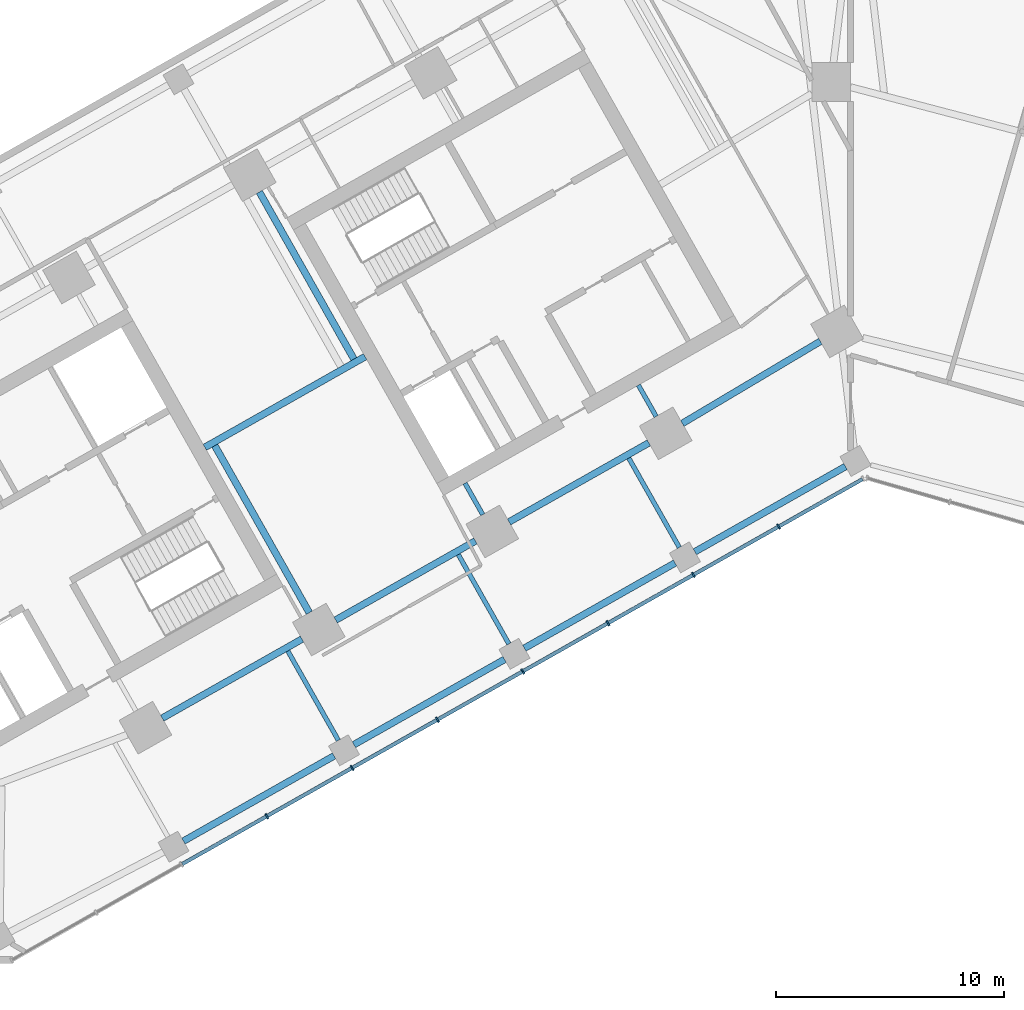
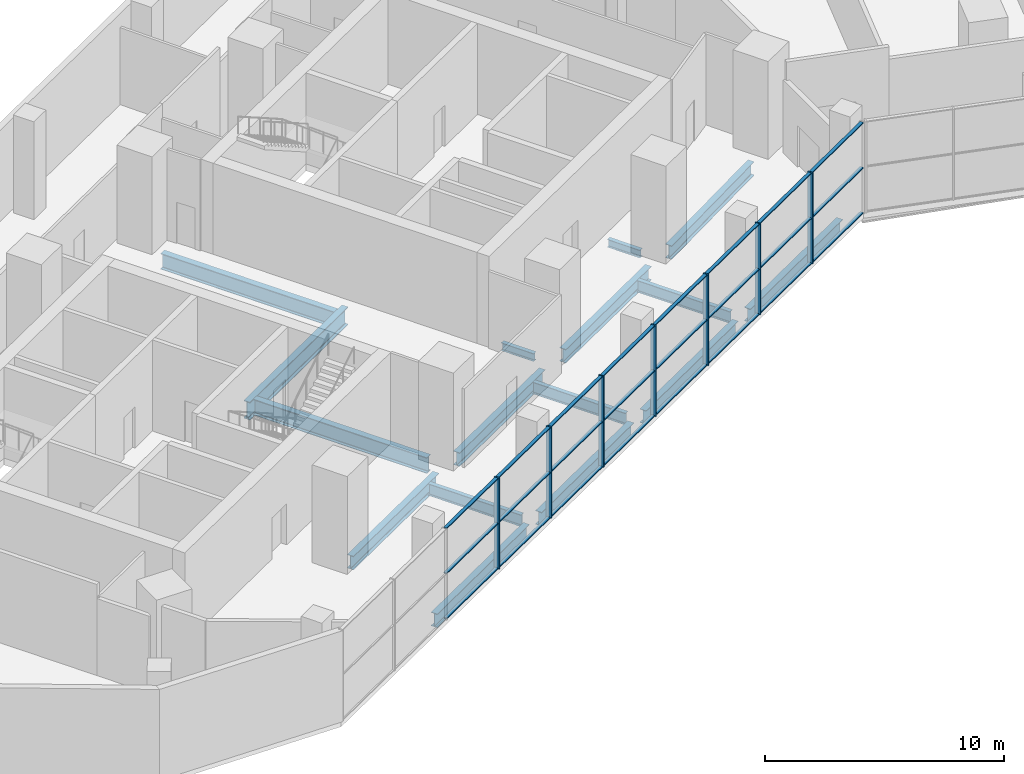
# One storey, part 3 of 18: 31 members, 16 beams, 1 element without a shape of its own.
"""IFC4 building model written with IfcOpenShell, lengths in metres."""

import ifcopenshell
import ifcopenshell.guid

model = None  # the IFC model being written
_history = None  # IfcOwnerHistory: only IFC2X3 demands one
_inside = {}  # id of a spatial element -> (the spatial element, [elements in it])
_under = {}  # id of a project, library or spatial element -> (it, [spatial elements below it])
_declared = {}  # id of a project -> (the project, [libraries it declares])
_typed = {}  # id of a type object -> (the type object, [elements of that type])
_made_of = {}  # id of a material, layer set ... -> (it, [elements and type objects made of it])


def new_model(schema):
    """Start an empty IFC model of exactly this schema.

    Asked for "IFC4X3", IfcOpenShell would pick the latest addendum, in which some entities
    have other attributes; the version numbers below select the first issue.
    IFC2X3 requires an IfcOwnerHistory on every rooted entity: one is made here for all.
    """
    global model, _history
    if schema == "IFC4X3":
        model = ifcopenshell.file(schema_version=(4, 3, 0, 0))
    else:
        model = ifcopenshell.file(schema=schema)
    _inside.clear()
    _under.clear()
    _declared.clear()
    _typed.clear()
    _made_of.clear()
    _history = None
    if model.schema == "IFC2X3":
        org = make("IfcOrganization", Name="unknown")
        user = make(
            "IfcPersonAndOrganization",
            ThePerson=make("IfcPerson", FamilyName="unknown"),
            TheOrganization=org,
        )
        app = make(
            "IfcApplication",
            ApplicationDeveloper=org,
            Version="unknown",
            ApplicationFullName="unknown",
            ApplicationIdentifier="unknown",
        )
        _history = make(
            "IfcOwnerHistory",
            OwningUser=user,
            OwningApplication=app,
            ChangeAction="ADDED",
            CreationDate=0,
        )
    return model


def make(cls, **values):
    """One entity of the class cls with the attributes given. An attribute that is None is left unset."""
    return model.create_entity(
        cls, **{name: value for name, value in values.items() if value is not None}
    )


def rooted(cls, **values):
    """An entity with a GlobalId (a new one), such as an element, a storey or a relation."""
    return make(cls, GlobalId=ifcopenshell.guid.new(), OwnerHistory=_history, **values)


def si_unit(unit_type, name, prefix=None):
    """IfcSIUnit, for example si_unit("LENGTHUNIT", "METRE", prefix="MILLI")."""
    return make("IfcSIUnit", UnitType=unit_type, Prefix=prefix, Name=name)


def assignment(units):
    """IfcUnitAssignment: the units of a project."""
    return None if units is None else make("IfcUnitAssignment", Units=units)


def point(xyz):
    """IfcCartesianPoint."""
    return None if xyz is None else make("IfcCartesianPoint", Coordinates=xyz)


def direction(xyz):
    """IfcDirection."""
    return None if xyz is None else make("IfcDirection", DirectionRatios=xyz)


def frame(location, z_axis=None, x_axis=None):
    """IfcAxis2Placement3D, a coordinate frame: its origin and axes. An axis left out is left unset."""
    return make(
        "IfcAxis2Placement3D",
        Location=point(location),
        Axis=direction(z_axis),
        RefDirection=direction(x_axis),
    )


def frame_2d(location, x_axis=None):
    """IfcAxis2Placement2D, a coordinate frame in the plane: its origin and x axis."""
    return make(
        "IfcAxis2Placement2D", Location=point(location), RefDirection=direction(x_axis)
    )


def origin():
    """The frame at (0, 0, 0) with its axes left unset."""
    return frame((0.0, 0.0, 0.0))


def origin_2d():
    """The frame at (0, 0) in the plane with its x axis left unset."""
    return frame_2d((0.0, 0.0))


def place(relative_to, where):
    """IfcLocalPlacement: puts the frame where relative to a parent placement (None: the world)."""
    return make(
        "IfcLocalPlacement", PlacementRelTo=relative_to, RelativePlacement=where
    )


def context(
    kind, dimensions, precision=None, world=None, true_north=None, identifier=None
):
    """IfcGeometricRepresentationContext, for example the 3D "Model" context."""
    return make(
        "IfcGeometricRepresentationContext",
        ContextIdentifier=identifier,
        ContextType=kind,
        CoordinateSpaceDimension=dimensions,
        Precision=precision,
        WorldCoordinateSystem=world,
        TrueNorth=true_north,
    )


def subcontext(parent, identifier, kind, view, scale=None):
    """IfcGeometricRepresentationSubContext, for example "Body" below "Model"."""
    return make(
        "IfcGeometricRepresentationSubContext",
        ContextIdentifier=identifier,
        ContextType=kind,
        ParentContext=parent,
        TargetScale=scale,
        TargetView=view,
    )


def project(units=None, contexts=None):
    """IfcProject with its units and contexts."""
    return rooted(
        "IfcProject",
        Name="project",
        RepresentationContexts=contexts,
        UnitsInContext=assignment(units),
    )


def spatial(cls, under=None, at=None, **own):
    """A site, building, storey or space (cls), placed at a placement, below another one or the project."""
    s = rooted(cls, ObjectPlacement=at, **own)
    if under is not None:
        _under.setdefault(under.id(), (under, []))[1].append(s)
    return s


def profile(cls, at=None, kind="AREA", **sizes):
    """A parametric profile (cls). Its sizes go by their IFC names, for example OverallWidth=200.0."""
    return make(cls, ProfileType=kind, Position=at, **sizes)


def rectangle(**sizes):
    """IfcRectangleProfileDef."""
    return profile("IfcRectangleProfileDef", **sizes)


def i_section(**sizes):
    """IfcIShapeProfileDef."""
    return profile("IfcIShapeProfileDef", **sizes)


def extrude(swept, where, along, depth):
    """IfcExtrudedAreaSolid: the profile swept, set in the frame where, extruded along a direction by depth."""
    return make(
        "IfcExtrudedAreaSolid",
        SweptArea=swept,
        Position=where,
        ExtrudedDirection=direction(along),
        Depth=depth,
    )


def shape(context_of_items, identifier, shape_type, items):
    """IfcShapeRepresentation: the items that make up one representation, for example the "Body"."""
    return make(
        "IfcShapeRepresentation",
        ContextOfItems=context_of_items,
        RepresentationIdentifier=identifier,
        RepresentationType=shape_type,
        Items=items,
    )


def material(Name=None, Category=None):
    """IfcMaterial."""
    return make("IfcMaterial", Name=Name, Category=Category)


def material_profile(
    of_material, cross_section, Name=None, Category=None, Priority=None
):
    """IfcMaterialProfile: a cross section and its material."""
    return make(
        "IfcMaterialProfile",
        Name=Name,
        Material=of_material,
        Profile=cross_section,
        Priority=Priority,
        Category=Category,
    )


def profile_set(profiles, Name=None, composite=None):
    """IfcMaterialProfileSet."""
    return make(
        "IfcMaterialProfileSet",
        Name=Name,
        MaterialProfiles=profiles,
        CompositeProfile=composite,
    )


def made_of(thing, what):
    """Note that an element or type object is made of a material, layer set ...; save() writes the relation."""
    if what is not None:
        _made_of.setdefault(what.id(), (what, []))[1].append(thing)
    return thing


def type_object(cls, material=None, **own):
    """A type object (cls), such as IfcWallType, which elements share."""
    return made_of(rooted(cls, **own), material)


def element(
    cls,
    number,
    at=None,
    inside=None,
    cuts=None,
    type_object=None,
    material=None,
    context=None,
    identifier="Body",
    shape_type=None,
    held_by="IfcProductDefinitionShape",
    body=None,
    shapes=None,
    **own,
):
    """One element of the class cls, such as IfcWall. Its Tag is "e" and its number.

    at: its placement. inside: the storey or other place that contains it. cuts: it is an
    opening in that element (IfcRelVoidsElement). A single representation is given by context,
    identifier, shape_type and body (its items); several are given by shapes. held_by: the class
    of the entity that holds the representations. save() writes the other relations.
    """
    e = rooted(cls, Tag="e%d" % number, ObjectPlacement=at, **own)
    if body is not None:
        shapes = [shape(context, identifier, shape_type, body)]
    if shapes is not None:
        e.Representation = make(held_by, Representations=shapes)
    if inside is not None:
        _inside.setdefault(inside.id(), (inside, []))[1].append(e)
    if cuts is not None:
        rooted(
            "IfcRelVoidsElement", RelatingBuildingElement=cuts, RelatedOpeningElement=e
        )
    if type_object is not None:
        _typed.setdefault(type_object.id(), (type_object, []))[1].append(e)
    return made_of(e, material)


def aggregate(whole, parts):
    """IfcRelAggregates: a whole, such as a stair, and the parts it consists of."""
    return rooted("IfcRelAggregates", RelatingObject=whole, RelatedObjects=parts)


def save(model, path):
    """Write the relations noted so far, then the file.

    IfcRelAggregates (storeys below a building ...), IfcRelContainedInSpatialStructure (elements
    in a storey), IfcRelDefinesByType, IfcRelAssociatesMaterial and IfcRelDeclares: one each for
    every whole, place, type object, material and project.
    """
    for whole, parts in _under.values():
        aggregate(whole, parts)
    for where, things in _inside.values():
        rooted(
            "IfcRelContainedInSpatialStructure",
            RelatedElements=things,
            RelatingStructure=where,
        )
    for kind, things in _typed.values():
        rooted("IfcRelDefinesByType", RelatedObjects=things, RelatingType=kind)
    for what, things in _made_of.values():
        rooted("IfcRelAssociatesMaterial", RelatedObjects=things, RelatingMaterial=what)
    for by, libraries in _declared.values():
        rooted("IfcRelDeclares", RelatingContext=by, RelatedDefinitions=libraries)
    model.write(path)


model = new_model("IFC4")

# Units and contexts
model_context = context("Model", 3, precision=1e-05, world=origin(), true_north=direction((0.0, 1.0)))
body_context = subcontext(model_context, "Body", "Model", "MODEL_VIEW")
ifc_project = project(units=[si_unit("LENGTHUNIT", "METRE"), si_unit("AREAUNIT", "SQUARE_METRE"), si_unit("VOLUMEUNIT", "CUBIC_METRE"), si_unit("PLANEANGLEUNIT", "RADIAN"), si_unit("MASSUNIT", "GRAM", prefix="KILO")], contexts=[model_context])

# Site, building, storey
site_placement = place(None, origin())
site = spatial("IfcSite", under=ifc_project, at=site_placement, CompositionType="ELEMENT")
building_placement = place(site_placement, origin())
building = spatial("IfcBuilding", under=site, at=building_placement, Name="Binnacle Exchange Tower", CompositionType="ELEMENT")
storey_placement = place(building_placement, frame((0.0, 0.0, 11.5)))
storey = spatial("IfcBuildingStorey", under=building, at=storey_placement, Name="L02", CompositionType="ELEMENT", Elevation=11.5)

# Curtain wall, members
ifc_material_1 = material(Name="Bronze anodised aluminium frame", Category="aluminium")
curtain_wall_type = type_object("IfcCurtainWallType", Name="External wall - curtain wall podium harbour front", PredefinedType="NOTDEFINED", material=ifc_material_1)
curtain_wall_placement = place(storey_placement, origin())
curtain_wall = element("IfcCurtainWall", 1, at=curtain_wall_placement, inside=storey, type_object=curtain_wall_type, Name="External wall curtain wall CW3-P06 L02", PredefinedType="NOTDEFINED")
ifc_material_profile_1 = material_profile(ifc_material_1, rectangle(XDim=0.25, YDim=0.070068359375, at=origin_2d()), Name="AL 70x250")
ifc_profile_set_1 = profile_set([ifc_material_profile_1], Name="Bronze anodised aluminium frame")
member_type_1 = type_object("IfcMemberType", Name="CW3 MULLION 70x250", PredefinedType="MULLION", material=ifc_profile_set_1)
member_1_placement = place(storey_placement, frame((-25.6416015625, 27.747802734375, 0.0), z_axis=(0.0, 0.0, 1.0), x_axis=(-0.492423763004, 0.870355581144, 0.0)))
member_1 = element("IfcMember", 2, at=member_1_placement, type_object=member_type_1, Name="CW3-P06 mullion 4", PredefinedType="MULLION", context=body_context, shape_type="SweptSolid", body=[
    extrude(rectangle(XDim=0.25, YDim=0.070068359375, at=origin_2d()), origin(), (0.0, 0.0, 1.0), 4.64990234375),
])
member_2_placement = place(storey_placement, frame((-21.89404296875, 29.8681640625, 0.0), z_axis=(0.0, 0.0, 1.0), x_axis=(-0.492423763004, 0.870355581144, 0.0)))
member_2 = element("IfcMember", 3, at=member_2_placement, type_object=member_type_1, Name="CW3-P06 mullion 5", PredefinedType="MULLION", context=body_context, shape_type="SweptSolid", body=[
    extrude(rectangle(XDim=0.25, YDim=0.070068359375, at=origin_2d()), origin(), (0.0, 0.0, 1.0), 4.64990234375),
])
member_3_placement = place(storey_placement, frame((-18.146484375, 31.988525390625, 0.0), z_axis=(0.0, 0.0, 1.0), x_axis=(-0.492423763004, 0.870355581144, 0.0)))
member_3 = element("IfcMember", 4, at=member_3_placement, type_object=member_type_1, Name="CW3-P06 mullion 6", PredefinedType="MULLION", context=body_context, shape_type="SweptSolid", body=[
    extrude(rectangle(XDim=0.25, YDim=0.070068359375, at=origin_2d()), origin(), (0.0, 0.0, 1.0), 4.64990234375),
])
member_4_placement = place(storey_placement, frame((-14.39892578125, 34.108642578125, 0.0), z_axis=(0.0, 0.0, 1.0), x_axis=(-0.492423763004, 0.870355581144, 0.0)))
member_4 = element("IfcMember", 5, at=member_4_placement, type_object=member_type_1, Name="CW3-P06 mullion 7", PredefinedType="MULLION", context=body_context, shape_type="SweptSolid", body=[
    extrude(rectangle(XDim=0.25, YDim=0.070068359375, at=origin_2d()), origin(), (0.0, 0.0, 1.0), 4.64990234375),
])
member_5_placement = place(storey_placement, frame((-10.651123046875, 36.22900390625, 0.0), z_axis=(0.0, 0.0, 1.0), x_axis=(-0.492423763004, 0.870355581144, 0.0)))
member_5 = element("IfcMember", 6, at=member_5_placement, type_object=member_type_1, Name="CW3-P06 mullion 8", PredefinedType="MULLION", context=body_context, shape_type="SweptSolid", body=[
    extrude(rectangle(XDim=0.25, YDim=0.070068359375, at=origin_2d()), origin(), (0.0, 0.0, 1.0), 4.64990234375),
])
member_6_placement = place(storey_placement, frame((-6.903564453125, 38.349365234375, 0.0), z_axis=(0.0, 0.0, 1.0), x_axis=(-0.492423763004, 0.870355581144, 0.0)))
member_6 = element("IfcMember", 7, at=member_6_placement, type_object=member_type_1, Name="CW3-P06 mullion 9", PredefinedType="MULLION", context=body_context, shape_type="SweptSolid", body=[
    extrude(rectangle(XDim=0.25, YDim=0.070068359375, at=origin_2d()), origin(), (0.0, 0.0, 1.0), 4.64990234375),
])
member_7_placement = place(storey_placement, frame((-3.156005859375, 40.4697265625, 0.0), z_axis=(0.0, 0.0, 1.0), x_axis=(-0.492423763004, 0.870355581144, 0.0)))
member_7 = element("IfcMember", 8, at=member_7_placement, type_object=member_type_1, Name="CW3-P06 mullion 10", PredefinedType="MULLION", context=body_context, shape_type="SweptSolid", body=[
    extrude(rectangle(XDim=0.25, YDim=0.070068359375, at=origin_2d()), origin(), (0.0, 0.0, 1.0), 4.64990234375),
])
ifc_material_profile_2 = material_profile(ifc_material_1, rectangle(XDim=0.159912109375, YDim=0.050048828125, at=origin_2d()), Name="AL 160x50")
ifc_profile_set_2 = profile_set([ifc_material_profile_2], Name="Bronze anodised aluminium frame")
member_type_2 = type_object("IfcMemberType", Name="CW3 TRANSOM 50x160", PredefinedType="USERDEFINED", material=ifc_profile_set_2)
member_8_placement = place(storey_placement, frame((-29.35888671875, 25.644775390625, 0.02490234375), z_axis=(0.870373844637, 0.49239148101, 0.0), x_axis=(-0.49239148101, 0.870373844637, 0.0)))
member_8 = element("IfcMember", 9, at=member_8_placement, type_object=member_type_2, Name="CW3-P06 transom 3.1", ObjectType="TRANSOM", PredefinedType="USERDEFINED", context=body_context, shape_type="SweptSolid", body=[
    extrude(rectangle(XDim=0.159912109375, YDim=0.050048828125, at=origin_2d()), origin(), (0.0, 0.0, 1.0), 4.23583984375),
])
member_9_placement = place(storey_placement, frame((-29.35888671875, 25.644775390625, 2.324951171875), z_axis=(0.870373844637, 0.49239148101, 0.0), x_axis=(-0.49239148101, 0.870373844637, 0.0)))
member_9 = element("IfcMember", 10, at=member_9_placement, type_object=member_type_2, Name="CW3-P06 transom 3.2", ObjectType="TRANSOM", PredefinedType="USERDEFINED", context=body_context, shape_type="SweptSolid", body=[
    extrude(rectangle(XDim=0.159912109375, YDim=0.050048828125, at=origin_2d()), origin(), (0.0, 0.0, 1.0), 4.23583984375),
])
member_10_placement = place(storey_placement, frame((-29.35888671875, 25.644775390625, 4.625), z_axis=(0.870373844637, 0.49239148101, 0.0), x_axis=(-0.49239148101, 0.870373844637, 0.0)))
member_10 = element("IfcMember", 11, at=member_10_placement, type_object=member_type_2, Name="CW3-P06 transom 3.3", ObjectType="TRANSOM", PredefinedType="USERDEFINED", context=body_context, shape_type="SweptSolid", body=[
    extrude(rectangle(XDim=0.159912109375, YDim=0.050048828125, at=origin_2d()), origin(), (0.0, 0.0, 1.0), 4.23583984375),
])
member_11_placement = place(storey_placement, frame((-25.611083984375, 27.76513671875, 0.02490234375), z_axis=(0.870359869571, 0.492416183162, 0.0), x_axis=(-0.492416183162, 0.870359869571, 0.0)))
member_11 = element("IfcMember", 12, at=member_11_placement, type_object=member_type_2, Name="CW3-P06 transom 4.1", ObjectType="TRANSOM", PredefinedType="USERDEFINED", context=body_context, shape_type="SweptSolid", body=[
    extrude(rectangle(XDim=0.159912109375, YDim=0.050048828125, at=origin_2d()), origin(), (0.0, 0.0, 1.0), 4.235595703125),
])
member_12_placement = place(storey_placement, frame((-25.611083984375, 27.76513671875, 2.324951171875), z_axis=(0.870359869571, 0.492416183162, 0.0), x_axis=(-0.492416183162, 0.870359869571, 0.0)))
member_12 = element("IfcMember", 13, at=member_12_placement, type_object=member_type_2, Name="CW3-P06 transom 4.2", ObjectType="TRANSOM", PredefinedType="USERDEFINED", context=body_context, shape_type="SweptSolid", body=[
    extrude(rectangle(XDim=0.159912109375, YDim=0.050048828125, at=origin_2d()), origin(), (0.0, 0.0, 1.0), 4.235595703125),
])
member_13_placement = place(storey_placement, frame((-25.611083984375, 27.76513671875, 4.625), z_axis=(0.870359869571, 0.492416183162, 0.0), x_axis=(-0.492416183162, 0.870359869571, 0.0)))
member_13 = element("IfcMember", 14, at=member_13_placement, type_object=member_type_2, Name="CW3-P06 transom 4.3", ObjectType="TRANSOM", PredefinedType="USERDEFINED", context=body_context, shape_type="SweptSolid", body=[
    extrude(rectangle(XDim=0.159912109375, YDim=0.050048828125, at=origin_2d()), origin(), (0.0, 0.0, 1.0), 4.235595703125),
])
member_14_placement = place(storey_placement, frame((-21.863525390625, 29.88525390625, 0.02490234375), z_axis=(0.870335165984, 0.492459844912, 0.0), x_axis=(-0.492459844912, 0.870335165984, 0.0)))
member_14 = element("IfcMember", 15, at=member_14_placement, type_object=member_type_2, Name="CW3-P06 transom 5.1", ObjectType="TRANSOM", PredefinedType="USERDEFINED", context=body_context, shape_type="SweptSolid", body=[
    extrude(rectangle(XDim=0.159912109375, YDim=0.050048828125, at=origin_2d()), origin(), (0.0, 0.0, 1.0), 4.23583984375),
])
member_15_placement = place(storey_placement, frame((-21.863525390625, 29.88525390625, 2.324951171875), z_axis=(0.870335165984, 0.492459844912, 0.0), x_axis=(-0.492459844912, 0.870335165984, 0.0)))
member_15 = element("IfcMember", 16, at=member_15_placement, type_object=member_type_2, Name="CW3-P06 transom 5.2", ObjectType="TRANSOM", PredefinedType="USERDEFINED", context=body_context, shape_type="SweptSolid", body=[
    extrude(rectangle(XDim=0.159912109375, YDim=0.050048828125, at=origin_2d()), origin(), (0.0, 0.0, 1.0), 4.23583984375),
])
member_16_placement = place(storey_placement, frame((-21.863525390625, 29.88525390625, 4.625), z_axis=(0.870335165984, 0.492459844912, 0.0), x_axis=(-0.492459844912, 0.870335165984, 0.0)))
member_16 = element("IfcMember", 17, at=member_16_placement, type_object=member_type_2, Name="CW3-P06 transom 5.3", ObjectType="TRANSOM", PredefinedType="USERDEFINED", context=body_context, shape_type="SweptSolid", body=[
    extrude(rectangle(XDim=0.159912109375, YDim=0.050048828125, at=origin_2d()), origin(), (0.0, 0.0, 1.0), 4.23583984375),
])
member_17_placement = place(storey_placement, frame((-18.115966796875, 32.005615234375, 0.02490234375), z_axis=(0.870349143132, 0.492435141972, 0.0), x_axis=(-0.492435141972, 0.870349143132, 0.0)))
member_17 = element("IfcMember", 18, at=member_17_placement, type_object=member_type_2, Name="CW3-P06 transom 6.1", ObjectType="TRANSOM", PredefinedType="USERDEFINED", context=body_context, shape_type="SweptSolid", body=[
    extrude(rectangle(XDim=0.159912109375, YDim=0.050048828125, at=origin_2d()), origin(), (0.0, 0.0, 1.0), 4.236083984375),
])
member_18_placement = place(storey_placement, frame((-18.115966796875, 32.005615234375, 2.324951171875), z_axis=(0.870349143132, 0.492435141972, 0.0), x_axis=(-0.492435141972, 0.870349143132, 0.0)))
member_18 = element("IfcMember", 19, at=member_18_placement, type_object=member_type_2, Name="CW3-P06 transom 6.2", ObjectType="TRANSOM", PredefinedType="USERDEFINED", context=body_context, shape_type="SweptSolid", body=[
    extrude(rectangle(XDim=0.159912109375, YDim=0.050048828125, at=origin_2d()), origin(), (0.0, 0.0, 1.0), 4.236083984375),
])
member_19_placement = place(storey_placement, frame((-18.115966796875, 32.005615234375, 4.625), z_axis=(0.870349143132, 0.492435141972, 0.0), x_axis=(-0.492435141972, 0.870349143132, 0.0)))
member_19 = element("IfcMember", 20, at=member_19_placement, type_object=member_type_2, Name="CW3-P06 transom 6.3", ObjectType="TRANSOM", PredefinedType="USERDEFINED", context=body_context, shape_type="SweptSolid", body=[
    extrude(rectangle(XDim=0.159912109375, YDim=0.050048828125, at=origin_2d()), origin(), (0.0, 0.0, 1.0), 4.236083984375),
])
member_20_placement = place(storey_placement, frame((-14.368408203125, 34.1259765625, 0.02490234375), z_axis=(0.870373844637, 0.49239148101, 0.0), x_axis=(-0.49239148101, 0.870373844637, 0.0)))
member_20 = element("IfcMember", 21, at=member_20_placement, type_object=member_type_2, Name="CW3-P06 transom 7.1", ObjectType="TRANSOM", PredefinedType="USERDEFINED", context=body_context, shape_type="SweptSolid", body=[
    extrude(rectangle(XDim=0.159912109375, YDim=0.050048828125, at=origin_2d()), origin(), (0.0, 0.0, 1.0), 4.23583984375),
])
member_21_placement = place(storey_placement, frame((-14.368408203125, 34.1259765625, 2.324951171875), z_axis=(0.870373844637, 0.49239148101, 0.0), x_axis=(-0.49239148101, 0.870373844637, 0.0)))
member_21 = element("IfcMember", 22, at=member_21_placement, type_object=member_type_2, Name="CW3-P06 transom 7.2", ObjectType="TRANSOM", PredefinedType="USERDEFINED", context=body_context, shape_type="SweptSolid", body=[
    extrude(rectangle(XDim=0.159912109375, YDim=0.050048828125, at=origin_2d()), origin(), (0.0, 0.0, 1.0), 4.23583984375),
])
member_22_placement = place(storey_placement, frame((-14.368408203125, 34.1259765625, 4.625), z_axis=(0.870373844637, 0.49239148101, 0.0), x_axis=(-0.49239148101, 0.870373844637, 0.0)))
member_22 = element("IfcMember", 23, at=member_22_placement, type_object=member_type_2, Name="CW3-P06 transom 7.3", ObjectType="TRANSOM", PredefinedType="USERDEFINED", context=body_context, shape_type="SweptSolid", body=[
    extrude(rectangle(XDim=0.159912109375, YDim=0.050048828125, at=origin_2d()), origin(), (0.0, 0.0, 1.0), 4.23583984375),
])
member_23_placement = place(storey_placement, frame((-10.620849609375, 36.246337890625, 0.02490234375), z_axis=(0.870373844637, 0.49239148101, 0.0), x_axis=(-0.49239148101, 0.870373844637, 0.0)))
member_23 = element("IfcMember", 24, at=member_23_placement, type_object=member_type_2, Name="CW3-P06 transom 8.1", ObjectType="TRANSOM", PredefinedType="USERDEFINED", context=body_context, shape_type="SweptSolid", body=[
    extrude(rectangle(XDim=0.159912109375, YDim=0.050048828125, at=origin_2d()), origin(), (0.0, 0.0, 1.0), 4.23583984375),
])
member_24_placement = place(storey_placement, frame((-10.620849609375, 36.246337890625, 2.324951171875), z_axis=(0.870373844637, 0.49239148101, 0.0), x_axis=(-0.49239148101, 0.870373844637, 0.0)))
member_24 = element("IfcMember", 25, at=member_24_placement, type_object=member_type_2, Name="CW3-P06 transom 8.2", ObjectType="TRANSOM", PredefinedType="USERDEFINED", context=body_context, shape_type="SweptSolid", body=[
    extrude(rectangle(XDim=0.159912109375, YDim=0.050048828125, at=origin_2d()), origin(), (0.0, 0.0, 1.0), 4.23583984375),
])
member_25_placement = place(storey_placement, frame((-10.620849609375, 36.246337890625, 4.625), z_axis=(0.870373844637, 0.49239148101, 0.0), x_axis=(-0.49239148101, 0.870373844637, 0.0)))
member_25 = element("IfcMember", 26, at=member_25_placement, type_object=member_type_2, Name="CW3-P06 transom 8.3", ObjectType="TRANSOM", PredefinedType="USERDEFINED", context=body_context, shape_type="SweptSolid", body=[
    extrude(rectangle(XDim=0.159912109375, YDim=0.050048828125, at=origin_2d()), origin(), (0.0, 0.0, 1.0), 4.23583984375),
])
member_26_placement = place(storey_placement, frame((-6.873046875, 38.366455078125, 0.02490234375), z_axis=(0.870335165984, 0.492459844912, 0.0), x_axis=(-0.492459844912, 0.870335165984, 0.0)))
member_26 = element("IfcMember", 27, at=member_26_placement, type_object=member_type_2, Name="CW3-P06 transom 9.1", ObjectType="TRANSOM", PredefinedType="USERDEFINED", context=body_context, shape_type="SweptSolid", body=[
    extrude(rectangle(XDim=0.159912109375, YDim=0.050048828125, at=origin_2d()), origin(), (0.0, 0.0, 1.0), 4.23583984375),
])
member_27_placement = place(storey_placement, frame((-6.873046875, 38.366455078125, 2.324951171875), z_axis=(0.870335165984, 0.492459844912, 0.0), x_axis=(-0.492459844912, 0.870335165984, 0.0)))
member_27 = element("IfcMember", 28, at=member_27_placement, type_object=member_type_2, Name="CW3-P06 transom 9.2", ObjectType="TRANSOM", PredefinedType="USERDEFINED", context=body_context, shape_type="SweptSolid", body=[
    extrude(rectangle(XDim=0.159912109375, YDim=0.050048828125, at=origin_2d()), origin(), (0.0, 0.0, 1.0), 4.23583984375),
])
member_28_placement = place(storey_placement, frame((-6.873046875, 38.366455078125, 4.625), z_axis=(0.870335165984, 0.492459844912, 0.0), x_axis=(-0.492459844912, 0.870335165984, 0.0)))
member_28 = element("IfcMember", 29, at=member_28_placement, type_object=member_type_2, Name="CW3-P06 transom 9.3", ObjectType="TRANSOM", PredefinedType="USERDEFINED", context=body_context, shape_type="SweptSolid", body=[
    extrude(rectangle(XDim=0.159912109375, YDim=0.050048828125, at=origin_2d()), origin(), (0.0, 0.0, 1.0), 4.23583984375),
])
member_29_placement = place(storey_placement, frame((-3.12548828125, 40.48681640625, 0.02490234375), z_axis=(0.870356022884, 0.492422982231, 0.0), x_axis=(-0.492422982231, 0.870356022884, 0.0)))
member_29 = element("IfcMember", 30, at=member_29_placement, type_object=member_type_2, Name="CW3-P06 transom 10.1", ObjectType="TRANSOM", PredefinedType="USERDEFINED", context=body_context, shape_type="SweptSolid", body=[
    extrude(rectangle(XDim=0.159912109375, YDim=0.050048828125, at=origin_2d()), origin(), (0.0, 0.0, 1.0), 4.200927734375),
])
member_30_placement = place(storey_placement, frame((-3.12548828125, 40.48681640625, 2.324951171875), z_axis=(0.870356022884, 0.492422982231, 0.0), x_axis=(-0.492422982231, 0.870356022884, 0.0)))
member_30 = element("IfcMember", 31, at=member_30_placement, type_object=member_type_2, Name="CW3-P06 transom 10.2", ObjectType="TRANSOM", PredefinedType="USERDEFINED", context=body_context, shape_type="SweptSolid", body=[
    extrude(rectangle(XDim=0.159912109375, YDim=0.050048828125, at=origin_2d()), origin(), (0.0, 0.0, 1.0), 4.200927734375),
])
member_31_placement = place(storey_placement, frame((-3.12548828125, 40.48681640625, 4.625), z_axis=(0.870356022884, 0.492422982231, 0.0), x_axis=(-0.492422982231, 0.870356022884, 0.0)))
member_31 = element("IfcMember", 32, at=member_31_placement, type_object=member_type_2, Name="CW3-P06 transom 10.3", ObjectType="TRANSOM", PredefinedType="USERDEFINED", context=body_context, shape_type="SweptSolid", body=[
    extrude(rectangle(XDim=0.159912109375, YDim=0.050048828125, at=origin_2d()), origin(), (0.0, 0.0, 1.0), 4.200927734375),
])
aggregate(curtain_wall, [member_1, member_2, member_3, member_4, member_5, member_6, member_7, member_8, member_9, member_10, member_11, member_12, member_13, member_14, member_15, member_16, member_17, member_18, member_19, member_20, member_21, member_22, member_23, member_24, member_25, member_26, member_27, member_28, member_29, member_30, member_31])

# Beams
ifc_material_2 = material(Name="Steel S355 (SHN355)", Category="steel")
ifc_material_profile_3 = material_profile(ifc_material_2, i_section(OverallWidth=0.300048828125, OverallDepth=0.699951171875, WebThickness=0.012939453125, FlangeThickness=0.02392578125, FilletRadius=0.028076171875, at=origin_2d()), Name="H 700x300x13x24")
ifc_profile_set_3 = profile_set([ifc_material_profile_3], Name="Steel S355 (SHN355)")
beam_type_1 = type_object("IfcBeamType", Name="Edge girder H 700x300x13x24 Steel S355 (SHN355)", PredefinedType="SPANDREL", material=ifc_profile_set_3)
beam_1_placement = place(storey_placement, frame((-30.23583984375, 32.053955078125, -0.699951171875), z_axis=(0.870373276953, 0.492392484473, 0.0), x_axis=(-0.492392484473, 0.870373276953, 0.0)))
element("IfcBeam", 33, at=beam_1_placement, inside=storey, type_object=beam_type_1, Name="S:BM:edge:L02:028", PredefinedType="SPANDREL", context=body_context, shape_type="SweptSolid", body=[
    extrude(i_section(OverallWidth=0.300048828125, OverallDepth=0.699951171875, WebThickness=0.012939453125, FlangeThickness=0.02392578125, FilletRadius=0.028076171875, at=origin_2d()), origin(), (0.0, 0.0, 1.0), 7.0546875),
])
beam_2_placement = place(storey_placement, frame((-22.68603515625, 30.396728515625, -0.699951171875), z_axis=(-0.870352907673, -0.492428488316, 0.0), x_axis=(0.492428488316, -0.870352907673, 0.0)))
element("IfcBeam", 34, at=beam_2_placement, inside=storey, type_object=beam_type_1, Name="S:BM:edge:L02:032", PredefinedType="SPANDREL", context=body_context, shape_type="SweptSolid", body=[
    extrude(i_section(OverallWidth=0.300048828125, OverallDepth=0.699951171875, WebThickness=0.012939453125, FlangeThickness=0.02392578125, FilletRadius=0.028076171875, at=origin_2d()), origin(), (0.0, 0.0, 1.0), 7.60546875),
])
beam_3_placement = place(storey_placement, frame((-22.6162109375, 36.36474609375, -0.699951171875), z_axis=(0.870350053651, 0.492433532681, 0.0), x_axis=(-0.492433532681, 0.870350053651, 0.0)))
element("IfcBeam", 35, at=beam_3_placement, inside=storey, type_object=beam_type_1, Name="S:BM:edge:L02:033", PredefinedType="SPANDREL", context=body_context, shape_type="SweptSolid", body=[
    extrude(i_section(OverallWidth=0.300048828125, OverallDepth=0.699951171875, WebThickness=0.012939453125, FlangeThickness=0.02392578125, FilletRadius=0.028076171875, at=origin_2d()), origin(), (0.0, 0.0, 1.0), 7.054443359375),
])
beam_4_placement = place(storey_placement, frame((-15.1962890625, 34.63427734375, -0.699951171875), z_axis=(-0.870352907673, -0.492428488316, 0.0), x_axis=(0.492428488316, -0.870352907673, 0.0)))
element("IfcBeam", 36, at=beam_4_placement, inside=storey, type_object=beam_type_1, Name="S:BM:edge:L02:036", PredefinedType="SPANDREL", context=body_context, shape_type="SweptSolid", body=[
    extrude(i_section(OverallWidth=0.300048828125, OverallDepth=0.699951171875, WebThickness=0.012939453125, FlangeThickness=0.02392578125, FilletRadius=0.028076171875, at=origin_2d()), origin(), (0.0, 0.0, 1.0), 7.60546875),
])
beam_5_placement = place(storey_placement, frame((-14.99658203125, 40.67578125, -0.699951171875), z_axis=(0.870364886025, 0.492407316329, 0.0), x_axis=(-0.492407316329, 0.870364886025, 0.0)))
element("IfcBeam", 37, at=beam_5_placement, inside=storey, type_object=beam_type_1, Name="S:BM:edge:L02:037", PredefinedType="SPANDREL", context=body_context, shape_type="SweptSolid", body=[
    extrude(i_section(OverallWidth=0.300048828125, OverallDepth=0.699951171875, WebThickness=0.012939453125, FlangeThickness=0.02392578125, FilletRadius=0.028076171875, at=origin_2d()), origin(), (0.0, 0.0, 1.0), 7.054443359375),
])
beam_6_placement = place(storey_placement, frame((-7.706298828125, 38.871826171875, -0.699951171875), z_axis=(-0.870352907673, -0.492428488316, 0.0), x_axis=(0.492428488316, -0.870352907673, 0.0)))
element("IfcBeam", 38, at=beam_6_placement, inside=storey, type_object=beam_type_1, Name="S:BM:edge:L02:040", PredefinedType="SPANDREL", context=body_context, shape_type="SweptSolid", body=[
    extrude(i_section(OverallWidth=0.300048828125, OverallDepth=0.699951171875, WebThickness=0.012939453125, FlangeThickness=0.02392578125, FilletRadius=0.028076171875, at=origin_2d()), origin(), (0.0, 0.0, 1.0), 7.60546875),
])
beam_7_placement = place(storey_placement, frame((-7.38623046875, 45.002685546875, -0.699951171875), z_axis=(0.859464815262, 0.511194905419, 0.0), x_axis=(-0.511194905419, 0.859464815262, 0.0)))
element("IfcBeam", 39, at=beam_7_placement, inside=storey, type_object=beam_type_1, Name="S:BM:edge:L02:041", PredefinedType="SPANDREL", context=body_context, shape_type="SweptSolid", body=[
    extrude(i_section(OverallWidth=0.300048828125, OverallDepth=0.699951171875, WebThickness=0.012939453125, FlangeThickness=0.02392578125, FilletRadius=0.028076171875, at=origin_2d()), origin(), (0.0, 0.0, 1.0), 7.056396484375),
])
beam_8_placement = place(storey_placement, frame((-0.216552734375, 43.109375, -0.699951171875), z_axis=(-0.870352907673, -0.492428488316, 0.0), x_axis=(0.492428488316, -0.870352907673, 0.0)))
element("IfcBeam", 40, at=beam_8_placement, inside=storey, type_object=beam_type_1, Name="S:BM:edge:L02:044", PredefinedType="SPANDREL", context=body_context, shape_type="SweptSolid", body=[
    extrude(i_section(OverallWidth=0.300048828125, OverallDepth=0.699951171875, WebThickness=0.012939453125, FlangeThickness=0.02392578125, FilletRadius=0.028076171875, at=origin_2d()), origin(), (0.0, 0.0, 1.0), 7.60546875),
])
ifc_material_profile_4 = material_profile(ifc_material_2, i_section(OverallWidth=0.199951171875, OverallDepth=0.39990234375, WebThickness=0.008056640625, FlangeThickness=0.012939453125, FilletRadius=0.01611328125, at=origin_2d()), Name="H 400x200x8x13")
ifc_profile_set_4 = profile_set([ifc_material_profile_4], Name="Steel S355 (SHN355)")
beam_type_2 = type_object("IfcBeamType", Name="Floor beam H 400x200x8x13 Steel S355 (SHN355)", PredefinedType="BEAM", material=ifc_profile_set_4)
beam_9_placement = place(storey_placement, frame((-16.155029296875, 40.9970703125, -0.550048828125), z_axis=(-0.492366981934, 0.870387703901, 0.0), x_axis=(-0.870387703901, -0.492366981934, 0.0)))
element("IfcBeam", 41, at=beam_9_placement, inside=storey, type_object=beam_type_2, Name="S:BM:cross:L02:095", PredefinedType="BEAM", context=body_context, shape_type="SweptSolid", body=[
    extrude(i_section(OverallWidth=0.199951171875, OverallDepth=0.39990234375, WebThickness=0.008056640625, FlangeThickness=0.012939453125, FilletRadius=0.01611328125, at=origin_2d()), origin(), (0.0, 0.0, 1.0), 1.584228515625),
])
beam_10_placement = place(storey_placement, frame((-8.535400390625, 45.307861328125, -0.550048828125), z_axis=(-0.492483715062, 0.870321659158, 0.0), x_axis=(-0.870321659158, -0.492483715062, 0.0)))
element("IfcBeam", 42, at=beam_10_placement, inside=storey, type_object=beam_type_2, Name="S:BM:cross:L02:099", PredefinedType="BEAM", context=body_context, shape_type="SweptSolid", body=[
    extrude(i_section(OverallWidth=0.199951171875, OverallDepth=0.39990234375, WebThickness=0.008056640625, FlangeThickness=0.012939453125, FilletRadius=0.01611328125, at=origin_2d()), origin(), (0.0, 0.0, 1.0), 1.58447265625),
])
ifc_material_profile_5 = material_profile(ifc_material_2, i_section(OverallWidth=0.199951171875, OverallDepth=0.60009765625, WebThickness=0.010986328125, FlangeThickness=0.01708984375, FilletRadius=0.02197265625, at=origin_2d()), Name="H 600x200x11x17")
ifc_profile_set_5 = profile_set([ifc_material_profile_5], Name="Steel S355 (SHN355)")
beam_type_3 = type_object("IfcBeamType", Name="Floor beam H 600x200x11x17 Steel S355 (SHN355)", PredefinedType="BEAM", material=ifc_profile_set_5)
for number, where, z_axis, x_axis, name in (
    (43, (-22.4970703125, 31.078125, -0.64990234375), (-0.492403272389, 0.870367173864, 0.0), (-0.870367173864, -0.492403272389, 0.0), "S:BM:cross:L02:093"),
    (44, (-15.007080078125, 35.315673828125, -0.64990234375), (-0.4924442794, 0.8703439732, 0.0), (-0.8703439732, -0.4924442794, 0.0), "S:BM:cross:L02:096"),
    (45, (-7.517333984375, 39.55322265625, -0.64990234375), (-0.4924442794, 0.8703439732, 0.0), (-0.8703439732, -0.4924442794, 0.0), "S:BM:cross:L02:100"),
):
    element("IfcBeam", number, at=place(storey_placement, frame(where, z_axis=z_axis, x_axis=x_axis)), inside=storey, type_object=beam_type_3, Name=name, PredefinedType="BEAM", context=body_context, shape_type="SweptSolid", body=[
        extrude(i_section(OverallWidth=0.199951171875, OverallDepth=0.60009765625, WebThickness=0.010986328125, FlangeThickness=0.01708984375, FilletRadius=0.02197265625, at=origin_2d()), origin(), (0.0, 0.0, 1.0), 4.510009765625),
    ])
ifc_material_profile_6 = material_profile(ifc_material_2, i_section(OverallWidth=0.302001953125, OverallDepth=0.80810546875, WebThickness=0.01611328125, FlangeThickness=0.030029296875, FilletRadius=0.028076171875, at=origin_2d()), Name="H 808x302x16x30")
ifc_profile_set_6 = profile_set([ifc_material_profile_6], Name="Steel S355 (SHN355)")
beam_type_4 = type_object("IfcBeamType", Name="Floor beam H 808x302x16x30 Steel S355 (SHN355)", PredefinedType="BEAM", material=ifc_profile_set_6)
for number, where, z_axis, x_axis, name in (
    (46, (-25.968994140625, 55.17041015625, -0.75390625), (0.492409177884, -0.870363832851, 0.0), (0.870363832851, 0.492409177884, 0.0), "S:BM:cross:L02:091"),
    (47, (-23.774658203125, 36.68603515625, -0.75390625), (-0.492409177884, 0.870363832851, 0.0), (-0.870363832851, -0.492409177884, 0.0), "S:BM:cross:L02:092"),
):
    element("IfcBeam", number, at=place(storey_placement, frame(where, z_axis=z_axis, x_axis=x_axis)), inside=storey, type_object=beam_type_4, Name=name, PredefinedType="BEAM", context=body_context, shape_type="SweptSolid", body=[
        extrude(i_section(OverallWidth=0.302001953125, OverallDepth=0.80810546875, WebThickness=0.01611328125, FlangeThickness=0.030029296875, FilletRadius=0.028076171875, at=origin_2d()), origin(), (0.0, 0.0, 1.0), 8.43408203125),
    ])
ifc_material_profile_7 = material_profile(ifc_material_2, i_section(OverallWidth=0.302978515625, OverallDepth=0.91796875, WebThickness=0.01904296875, FlangeThickness=0.037109375, FilletRadius=0.028076171875, at=origin_2d()), Name="H 918x303x19x37")
ifc_profile_set_7 = profile_set([ifc_material_profile_7], Name="Steel S355 (SHN355)")
beam_type_5 = type_object("IfcBeamType", Name="Spine girder H 918x303x19x37 Steel S355 (SHN355)", PredefinedType="BEAM", material=ifc_profile_set_7)
beam_11_placement = place(storey_placement, frame((-28.365478515625, 43.951416015625, -0.80908203125), z_axis=(0.870350319004, 0.492433063684, 0.0), x_axis=(-0.492433063684, 0.870350319004, 0.0)))
element("IfcBeam", 48, at=beam_11_placement, inside=storey, type_object=beam_type_5, Name="S:BM:spine:L02:002", PredefinedType="BEAM", context=body_context, shape_type="SweptSolid", body=[
    extrude(i_section(OverallWidth=0.302978515625, OverallDepth=0.91796875, WebThickness=0.01904296875, FlangeThickness=0.037109375, FilletRadius=0.028076171875, at=origin_2d()), origin(), (0.0, 0.0, 1.0), 8.0908203125),
])

save(model, "model.ifc")
